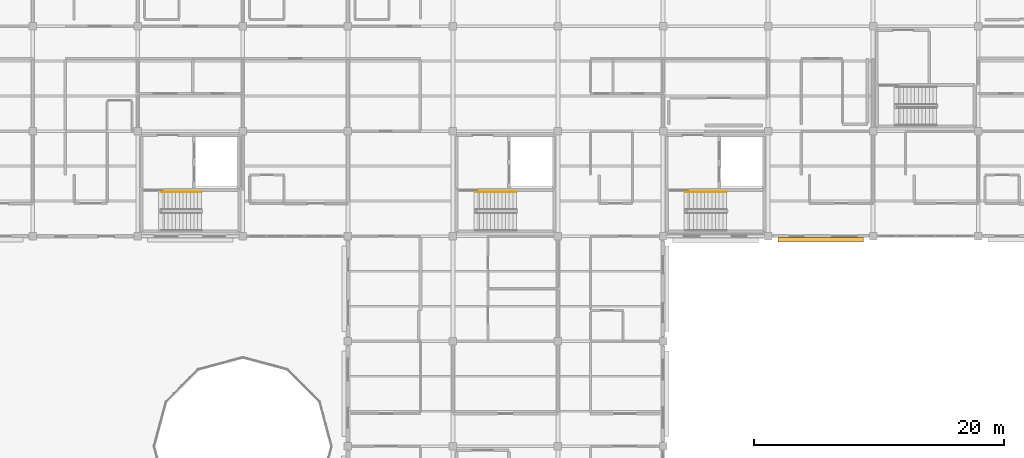
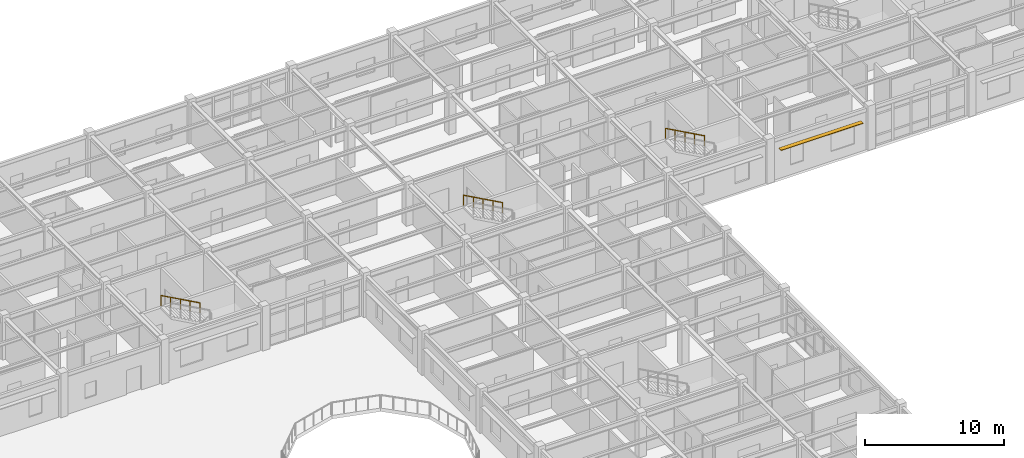
# One storey, part 81 of 86: 3 railings, 1 shading device.
"""IFC4 building model written with IfcOpenShell, lengths in metres."""

from ifc_helpers import new_model, si_unit, direction, frame, origin, origin_2d, place, context, subcontext, project, spatial, rectangle, circle, extrude, material, material_profile, profile_set, type_object, element, save


model = new_model("IFC4")

# Units and contexts
model_context = context("Model", 3, precision=1e-05, world=origin(), true_north=direction((0.0, 1.0)))
body_context = subcontext(model_context, "Body", "Model", "MODEL_VIEW")
ifc_project = project(units=[si_unit("LENGTHUNIT", "METRE"), si_unit("AREAUNIT", "SQUARE_METRE"), si_unit("VOLUMEUNIT", "CUBIC_METRE"), si_unit("PLANEANGLEUNIT", "RADIAN"), si_unit("MASSUNIT", "GRAM", prefix="KILO")], contexts=[model_context])

# Site, building, storey
site_placement = place(None, origin())
site = spatial("IfcSite", under=ifc_project, at=site_placement, CompositionType="ELEMENT")
building_placement = place(site_placement, origin())
building = spatial("IfcBuilding", under=site, at=building_placement, Name="Bramfleet General Hospital", CompositionType="ELEMENT")
storey_placement = place(building_placement, frame((0.0, 0.0, 18.60009765625)))
storey = spatial("IfcBuildingStorey", under=building, at=storey_placement, Name="L04", CompositionType="ELEMENT", Elevation=18.60009765625)

# Railings
ifc_material_1 = material(Name="Stainless steel 1.4301 stair handrail", Category="steel")
railing_type = type_object("IfcRailingType", Name="RAIL-ST-HND", PredefinedType="HANDRAIL", material=ifc_material_1)
for number, where, name in (
    (1, (105.885009765625, 95.929931640625, 2.1123046875), "L04 ST-C4 stair handrail 2"),
    (2, (80.68505859375, 95.929931640625, 2.1123046875), "L04 ST-C5 stair handrail 2"),
    (3, (122.68505859375, 95.929931640625, 2.1123046875), "L04 ST-C6 stair handrail 2"),
):
    element("IfcRailing", number, at=place(storey_placement, frame(where)), inside=storey, type_object=railing_type, Name=name, PredefinedType="HANDRAIL", context=body_context, shape_type="SweptSolid", body=[
        extrude(circle(Radius=0.02392578125, at=origin_2d()), frame((0.0, 0.0, 0.8759765625), z_axis=(-0.875898504189, 0.0, 0.482495399314), x_axis=(0.0, -1.0, 0.0)), (0.0, 0.0, 1.0), 3.704833984375),
        extrude(circle(Radius=0.02099609375, at=origin_2d()), origin(), (0.0, 0.0, 1.0), 0.851806640625),
        extrude(circle(Radius=0.02099609375, at=origin_2d()), frame((-0.811279296875, 0.0, 0.44677734375)), (0.0, 0.0, 1.0), 0.851806640625),
        extrude(circle(Radius=0.02099609375, at=origin_2d()), frame((-1.62255859375, 0.0, 0.893798828125)), (0.0, 0.0, 1.0), 0.851806640625),
        extrude(circle(Radius=0.02099609375, at=origin_2d()), frame((-2.433837890625, 0.0, 1.3408203125)), (0.0, 0.0, 1.0), 0.851806640625),
        extrude(circle(Radius=0.02099609375, at=origin_2d()), frame((-3.2451171875, 0.0, 1.78759765625)), (0.0, 0.0, 1.0), 0.851806640625),
    ])

# Shading device
ifc_material_2 = material(Name="Anodised aluminium EN AW-6063", Category="aluminium")
ifc_material_profile = material_profile(ifc_material_2, rectangle(XDim=0.050048828125, YDim=0.35009765625, at=origin_2d()), Name="ALU LOUVRE 350x50")
ifc_profile_set = profile_set([ifc_material_profile], Name="Anodised aluminium EN AW-6063")
shading_device_type = type_object("IfcShadingDeviceType", Name="SHD-LVR-350", PredefinedType="USERDEFINED", material=ifc_profile_set)
shading_device_placement = place(storey_placement, frame((133.625, 92.12255859375, 2.669921875), z_axis=(-1.0, 0.0, 0.0), x_axis=(0.0, 0.0, 1.0)))
element("IfcShadingDevice", 4, at=shading_device_placement, inside=storey, type_object=shading_device_type, Name="L04 Solar Shading Louvre 12", ObjectType="Louvre", PredefinedType="USERDEFINED", context=body_context, shape_type="SweptSolid", body=[
    extrude(rectangle(XDim=0.050048828125, YDim=0.35009765625, at=origin_2d()), origin(), (0.0, 0.0, 1.0), 6.85009765625),
])

save(model, "model.ifc")
